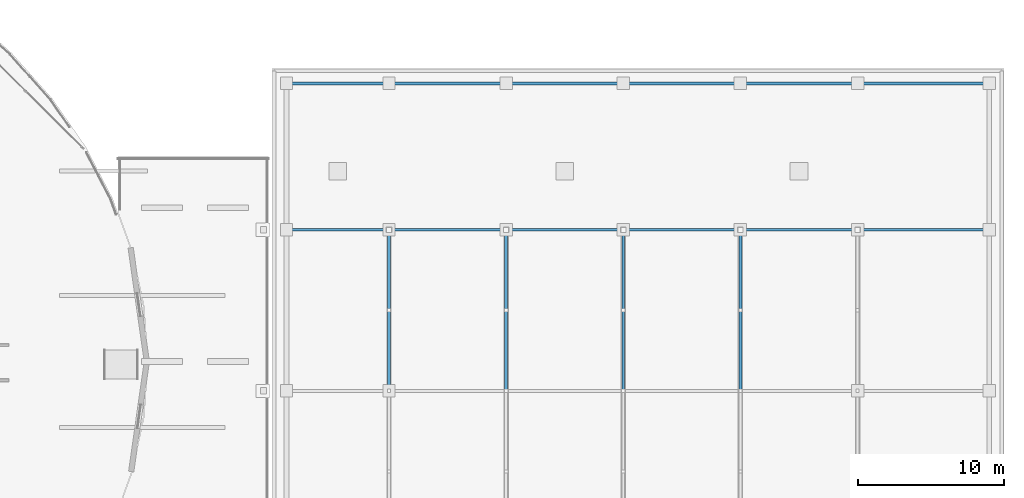
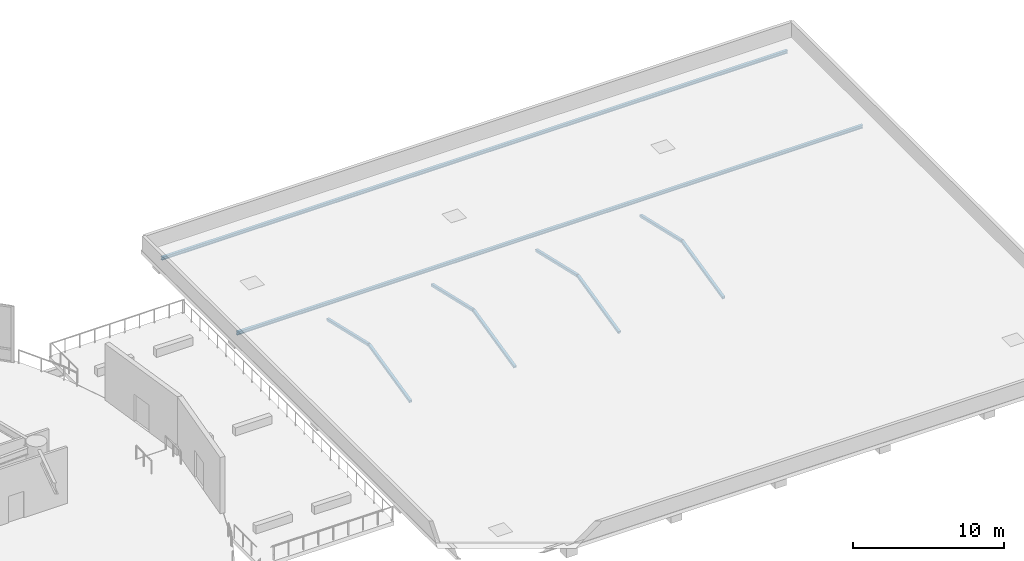
# One storey, part 12 of 26: 8 members, 2 beams.
"""IFC4 building model written with IfcOpenShell, lengths in metres."""

from ifc_helpers import new_model, si_unit, direction, frame, origin, origin_2d, place, context, subcontext, project, spatial, hollow_rectangle, i_section, extrude, material, material_profile, profile_set, type_object, element, save


model = new_model("IFC4")

# Units and contexts
model_context = context("Model", 3, precision=1e-05, world=origin(), true_north=direction((0.0, 1.0)))
body_context = subcontext(model_context, "Body", "Model", "MODEL_VIEW")
ifc_project = project(units=[si_unit("LENGTHUNIT", "METRE"), si_unit("AREAUNIT", "SQUARE_METRE"), si_unit("VOLUMEUNIT", "CUBIC_METRE"), si_unit("PLANEANGLEUNIT", "RADIAN"), si_unit("MASSUNIT", "GRAM", prefix="KILO")], contexts=[model_context])

# Site, building, storey
site_placement = place(None, origin())
site = spatial("IfcSite", under=ifc_project, at=site_placement, CompositionType="ELEMENT")
building_placement = place(site_placement, origin())
building = spatial("IfcBuilding", under=site, at=building_placement, Name="Kazevale Care Tower and Concert Hall", CompositionType="ELEMENT")
storey_placement = place(building_placement, frame((0.0, 0.0, 19.199951171875)))
storey = spatial("IfcBuildingStorey", under=building, at=storey_placement, Name="L04", CompositionType="ELEMENT", Elevation=19.199951171875)

# Beams
ifc_material = material(Name="Steel ASTM A572 Gr 50", Category="steel")
ifc_material_profile_1 = material_profile(ifc_material, i_section(OverallWidth=0.201904296875, OverallDepth=0.2470703125, WebThickness=0.00732421875, FlangeThickness=0.010986328125, at=origin_2d()), Name="W250x49")
ifc_profile_set_1 = profile_set([ifc_material_profile_1], Name="Steel ASTM A572 Gr 50")
beam_type = type_object("IfcBeamType", Name="Acoustic Roof Purlin W250x49", PredefinedType="JOIST", material=ifc_profile_set_1)
for number, where, z_axis, x_axis, name in (
    (1, (97.0, 47.0, 0.87646484375), (1.0, 0.0, 0.0), (0.0, 1.0, 0.0), "beam:L04:hall_purlin:470"),
    (2, (97.0, 57.0, 0.87646484375), (1.0, 0.0, 0.0), (0.0, 1.0, 0.0), "beam:L04:hall_purlin:570"),
):
    element("IfcBeam", number, at=place(storey_placement, frame(where, z_axis=z_axis, x_axis=x_axis)), inside=storey, type_object=beam_type, Name=name, PredefinedType="JOIST", context=body_context, shape_type="SweptSolid", body=[
        extrude(i_section(OverallWidth=0.201904296875, OverallDepth=0.2470703125, WebThickness=0.00732421875, FlangeThickness=0.010986328125, at=origin_2d()), origin(), (0.0, 0.0, 1.0), 48.0),
    ])

# Members
ifc_material_profile_2 = material_profile(ifc_material, hollow_rectangle(XDim=0.199951171875, YDim=0.199951171875, WallThickness=0.012451171875, at=origin_2d()), Name="SHS200x200x12.5")
ifc_profile_set_2 = profile_set([ifc_material_profile_2], Name="Steel ASTM A572 Gr 50")
member_type = type_object("IfcMemberType", Name="Concert Hall Truss Web SHS200x200x12.5", PredefinedType="BRACE", material=ifc_profile_set_2)
for number, where, z_axis, x_axis, name in (
    (3, (104.0, 36.0, -0.449951171875), (0.0, 0.974417432824, 0.22474578218), (-1.0, 0.0, 0.0), "truss:L04:CT1:web3"),
    (4, (104.0, 41.5, 0.818603515625), (0.0, 0.974417432824, -0.22474578218), (-1.0, 0.0, 0.0), "truss:L04:CT1:web4"),
    (5, (112.0, 36.0, -0.449951171875), (0.0, 0.974417432824, 0.22474578218), (-1.0, 0.0, 0.0), "truss:L04:CT2:web3"),
    (6, (112.0, 41.5, 0.818603515625), (0.0, 0.974417432824, -0.22474578218), (-1.0, 0.0, 0.0), "truss:L04:CT2:web4"),
    (7, (120.0, 36.0, -0.449951171875), (0.0, 0.974417432824, 0.22474578218), (-1.0, 0.0, 0.0), "truss:L04:CT3:web3"),
    (8, (120.0, 41.5, 0.818603515625), (0.0, 0.974417432824, -0.22474578218), (-1.0, 0.0, 0.0), "truss:L04:CT3:web4"),
    (9, (128.0, 36.0, -0.449951171875), (0.0, 0.974417432824, 0.22474578218), (-1.0, 0.0, 0.0), "truss:L04:CT4:web3"),
    (10, (128.0, 41.5, 0.818603515625), (0.0, 0.974417432824, -0.22474578218), (-1.0, 0.0, 0.0), "truss:L04:CT4:web4"),
):
    element("IfcMember", number, at=place(storey_placement, frame(where, z_axis=z_axis, x_axis=x_axis)), inside=storey, type_object=member_type, Name=name, PredefinedType="BRACE", context=body_context, shape_type="SweptSolid", body=[
        extrude(hollow_rectangle(XDim=0.199951171875, YDim=0.199951171875, WallThickness=0.012451171875, at=origin_2d()), origin(), (0.0, 0.0, 1.0), 5.644287109375),
    ])

save(model, "model.ifc")
